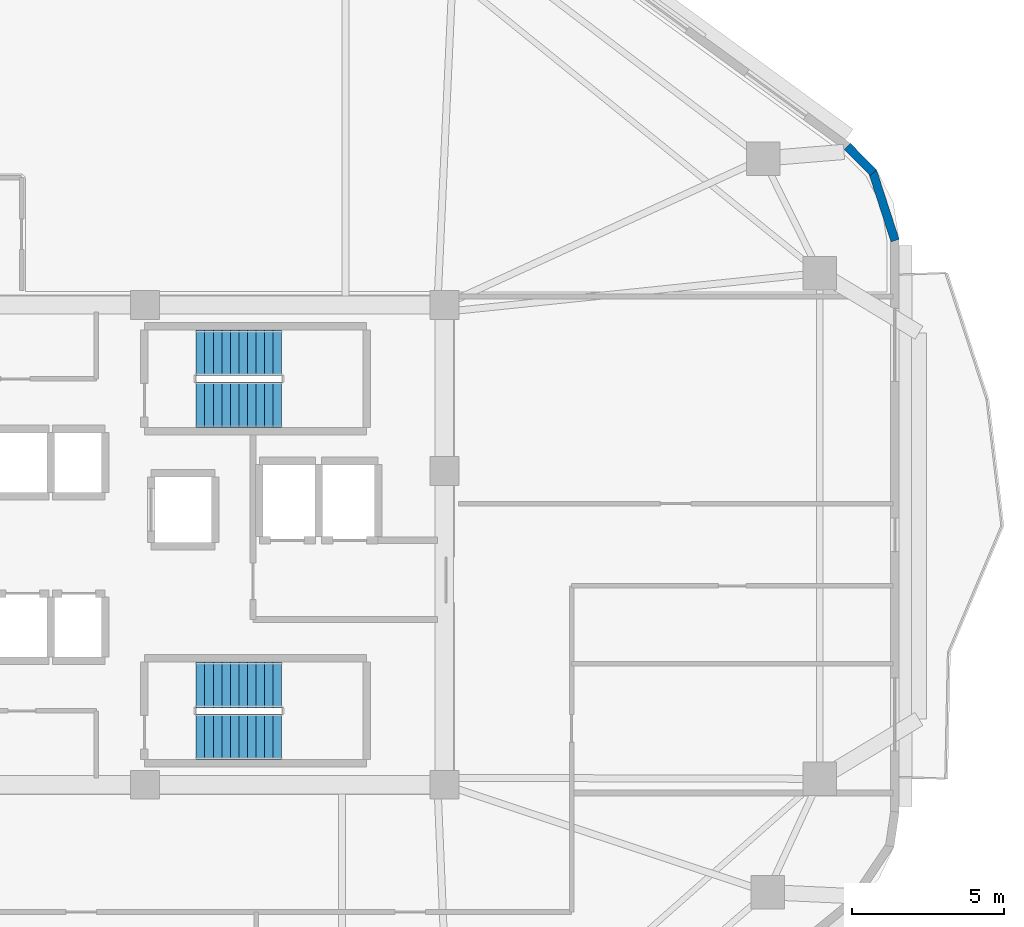
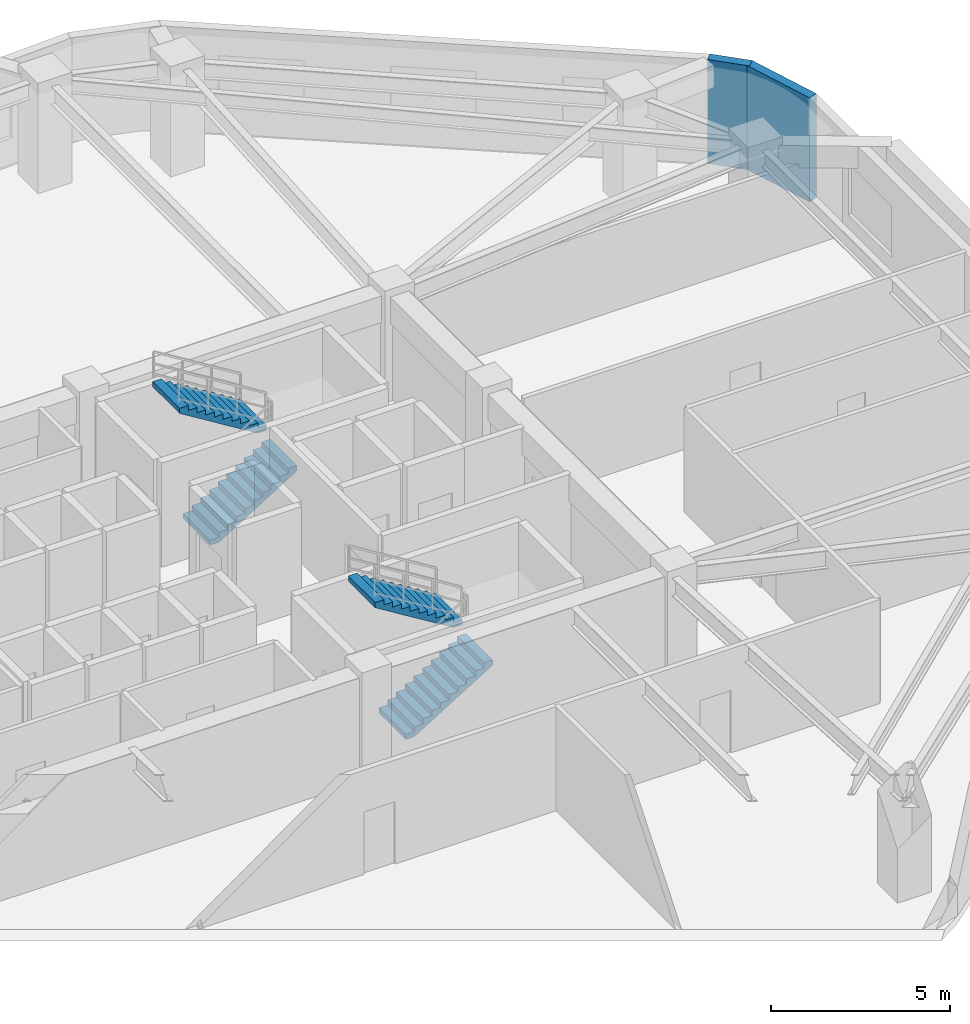
# One storey, part 6 of 8: 4 stair flights, 2 walls, 2 elements without a shape of their own.
"""IFC4 building model written with IfcOpenShell, lengths in metres."""

import ifcopenshell
import ifcopenshell.guid

model = None  # the IFC model being written
_history = None  # IfcOwnerHistory: only IFC2X3 demands one
_inside = {}  # id of a spatial element -> (the spatial element, [elements in it])
_under = {}  # id of a project, library or spatial element -> (it, [spatial elements below it])
_declared = {}  # id of a project -> (the project, [libraries it declares])
_typed = {}  # id of a type object -> (the type object, [elements of that type])
_made_of = {}  # id of a material, layer set ... -> (it, [elements and type objects made of it])


def new_model(schema):
    """Start an empty IFC model of exactly this schema.

    Asked for "IFC4X3", IfcOpenShell would pick the latest addendum, in which some entities
    have other attributes; the version numbers below select the first issue.
    IFC2X3 requires an IfcOwnerHistory on every rooted entity: one is made here for all.
    """
    global model, _history
    if schema == "IFC4X3":
        model = ifcopenshell.file(schema_version=(4, 3, 0, 0))
    else:
        model = ifcopenshell.file(schema=schema)
    _inside.clear()
    _under.clear()
    _declared.clear()
    _typed.clear()
    _made_of.clear()
    _history = None
    if model.schema == "IFC2X3":
        org = make("IfcOrganization", Name="unknown")
        user = make(
            "IfcPersonAndOrganization",
            ThePerson=make("IfcPerson", FamilyName="unknown"),
            TheOrganization=org,
        )
        app = make(
            "IfcApplication",
            ApplicationDeveloper=org,
            Version="unknown",
            ApplicationFullName="unknown",
            ApplicationIdentifier="unknown",
        )
        _history = make(
            "IfcOwnerHistory",
            OwningUser=user,
            OwningApplication=app,
            ChangeAction="ADDED",
            CreationDate=0,
        )
    return model


def make(cls, **values):
    """One entity of the class cls with the attributes given. An attribute that is None is left unset."""
    return model.create_entity(
        cls, **{name: value for name, value in values.items() if value is not None}
    )


def rooted(cls, **values):
    """An entity with a GlobalId (a new one), such as an element, a storey or a relation."""
    return make(cls, GlobalId=ifcopenshell.guid.new(), OwnerHistory=_history, **values)


def si_unit(unit_type, name, prefix=None):
    """IfcSIUnit, for example si_unit("LENGTHUNIT", "METRE", prefix="MILLI")."""
    return make("IfcSIUnit", UnitType=unit_type, Prefix=prefix, Name=name)


def assignment(units):
    """IfcUnitAssignment: the units of a project."""
    return None if units is None else make("IfcUnitAssignment", Units=units)


def point(xyz):
    """IfcCartesianPoint."""
    return None if xyz is None else make("IfcCartesianPoint", Coordinates=xyz)


def direction(xyz):
    """IfcDirection."""
    return None if xyz is None else make("IfcDirection", DirectionRatios=xyz)


def frame(location, z_axis=None, x_axis=None):
    """IfcAxis2Placement3D, a coordinate frame: its origin and axes. An axis left out is left unset."""
    return make(
        "IfcAxis2Placement3D",
        Location=point(location),
        Axis=direction(z_axis),
        RefDirection=direction(x_axis),
    )


def frame_2d(location, x_axis=None):
    """IfcAxis2Placement2D, a coordinate frame in the plane: its origin and x axis."""
    return make(
        "IfcAxis2Placement2D", Location=point(location), RefDirection=direction(x_axis)
    )


def origin():
    """The frame at (0, 0, 0) with its axes left unset."""
    return frame((0.0, 0.0, 0.0))


def place(relative_to, where):
    """IfcLocalPlacement: puts the frame where relative to a parent placement (None: the world)."""
    return make(
        "IfcLocalPlacement", PlacementRelTo=relative_to, RelativePlacement=where
    )


def context(
    kind, dimensions, precision=None, world=None, true_north=None, identifier=None
):
    """IfcGeometricRepresentationContext, for example the 3D "Model" context."""
    return make(
        "IfcGeometricRepresentationContext",
        ContextIdentifier=identifier,
        ContextType=kind,
        CoordinateSpaceDimension=dimensions,
        Precision=precision,
        WorldCoordinateSystem=world,
        TrueNorth=true_north,
    )


def subcontext(parent, identifier, kind, view, scale=None):
    """IfcGeometricRepresentationSubContext, for example "Body" below "Model"."""
    return make(
        "IfcGeometricRepresentationSubContext",
        ContextIdentifier=identifier,
        ContextType=kind,
        ParentContext=parent,
        TargetScale=scale,
        TargetView=view,
    )


def project(units=None, contexts=None):
    """IfcProject with its units and contexts."""
    return rooted(
        "IfcProject",
        Name="project",
        RepresentationContexts=contexts,
        UnitsInContext=assignment(units),
    )


def spatial(cls, under=None, at=None, **own):
    """A site, building, storey or space (cls), placed at a placement, below another one or the project."""
    s = rooted(cls, ObjectPlacement=at, **own)
    if under is not None:
        _under.setdefault(under.id(), (under, []))[1].append(s)
    return s


def polyline(points):
    """IfcPolyline through the points."""
    return make("IfcPolyline", Points=[point(p) for p in points])


def profile(cls, at=None, kind="AREA", **sizes):
    """A parametric profile (cls). Its sizes go by their IFC names, for example OverallWidth=200.0."""
    return make(cls, ProfileType=kind, Position=at, **sizes)


def rectangle(**sizes):
    """IfcRectangleProfileDef."""
    return profile("IfcRectangleProfileDef", **sizes)


def outline(outer, holes=None, kind="AREA"):
    """IfcArbitraryClosedProfileDef: a profile drawn as a closed curve; with holes, ...WithVoids."""
    if holes is None:
        return make("IfcArbitraryClosedProfileDef", ProfileType=kind, OuterCurve=outer)
    return make(
        "IfcArbitraryProfileDefWithVoids",
        ProfileType=kind,
        OuterCurve=outer,
        InnerCurves=holes,
    )


def extrude(swept, where, along, depth):
    """IfcExtrudedAreaSolid: the profile swept, set in the frame where, extruded along a direction by depth."""
    return make(
        "IfcExtrudedAreaSolid",
        SweptArea=swept,
        Position=where,
        ExtrudedDirection=direction(along),
        Depth=depth,
    )


def shape(context_of_items, identifier, shape_type, items):
    """IfcShapeRepresentation: the items that make up one representation, for example the "Body"."""
    return make(
        "IfcShapeRepresentation",
        ContextOfItems=context_of_items,
        RepresentationIdentifier=identifier,
        RepresentationType=shape_type,
        Items=items,
    )


def material(Name=None, Category=None):
    """IfcMaterial."""
    return make("IfcMaterial", Name=Name, Category=Category)


def layer(
    of_material, thickness, ventilated=None, Name=None, Category=None, Priority=None
):
    """IfcMaterialLayer: one layer of a wall or slab, of a material (None: an air gap)."""
    return make(
        "IfcMaterialLayer",
        Material=of_material,
        LayerThickness=thickness,
        IsVentilated=ventilated,
        Name=Name,
        Category=Category,
        Priority=Priority,
    )


def layer_set(layers, Name=None):
    """IfcMaterialLayerSet."""
    return make("IfcMaterialLayerSet", MaterialLayers=layers, LayerSetName=Name)


def made_of(thing, what):
    """Note that an element or type object is made of a material, layer set ...; save() writes the relation."""
    if what is not None:
        _made_of.setdefault(what.id(), (what, []))[1].append(thing)
    return thing


def type_object(cls, material=None, **own):
    """A type object (cls), such as IfcWallType, which elements share."""
    return made_of(rooted(cls, **own), material)


def element(
    cls,
    number,
    at=None,
    inside=None,
    cuts=None,
    type_object=None,
    material=None,
    context=None,
    identifier="Body",
    shape_type=None,
    held_by="IfcProductDefinitionShape",
    body=None,
    shapes=None,
    **own,
):
    """One element of the class cls, such as IfcWall. Its Tag is "e" and its number.

    at: its placement. inside: the storey or other place that contains it. cuts: it is an
    opening in that element (IfcRelVoidsElement). A single representation is given by context,
    identifier, shape_type and body (its items); several are given by shapes. held_by: the class
    of the entity that holds the representations. save() writes the other relations.
    """
    e = rooted(cls, Tag="e%d" % number, ObjectPlacement=at, **own)
    if body is not None:
        shapes = [shape(context, identifier, shape_type, body)]
    if shapes is not None:
        e.Representation = make(held_by, Representations=shapes)
    if inside is not None:
        _inside.setdefault(inside.id(), (inside, []))[1].append(e)
    if cuts is not None:
        rooted(
            "IfcRelVoidsElement", RelatingBuildingElement=cuts, RelatedOpeningElement=e
        )
    if type_object is not None:
        _typed.setdefault(type_object.id(), (type_object, []))[1].append(e)
    return made_of(e, material)


def aggregate(whole, parts):
    """IfcRelAggregates: a whole, such as a stair, and the parts it consists of."""
    return rooted("IfcRelAggregates", RelatingObject=whole, RelatedObjects=parts)


def save(model, path):
    """Write the relations noted so far, then the file.

    IfcRelAggregates (storeys below a building ...), IfcRelContainedInSpatialStructure (elements
    in a storey), IfcRelDefinesByType, IfcRelAssociatesMaterial and IfcRelDeclares: one each for
    every whole, place, type object, material and project.
    """
    for whole, parts in _under.values():
        aggregate(whole, parts)
    for where, things in _inside.values():
        rooted(
            "IfcRelContainedInSpatialStructure",
            RelatedElements=things,
            RelatingStructure=where,
        )
    for kind, things in _typed.values():
        rooted("IfcRelDefinesByType", RelatedObjects=things, RelatingType=kind)
    for what, things in _made_of.values():
        rooted("IfcRelAssociatesMaterial", RelatedObjects=things, RelatingMaterial=what)
    for by, libraries in _declared.values():
        rooted("IfcRelDeclares", RelatingContext=by, RelatedDefinitions=libraries)
    model.write(path)


model = new_model("IFC4")

# Units and contexts
model_context = context("Model", 3, precision=1e-05, world=origin(), true_north=direction((0.0, 1.0)))
body_context = subcontext(model_context, "Body", "Model", "MODEL_VIEW")
ifc_project = project(units=[si_unit("LENGTHUNIT", "METRE"), si_unit("AREAUNIT", "SQUARE_METRE"), si_unit("VOLUMEUNIT", "CUBIC_METRE"), si_unit("PLANEANGLEUNIT", "RADIAN"), si_unit("MASSUNIT", "GRAM", prefix="KILO")], contexts=[model_context])

# Site, building, storey
site_placement = place(None, origin())
site = spatial("IfcSite", under=ifc_project, at=site_placement, CompositionType="ELEMENT")
building_placement = place(site_placement, origin())
building = spatial("IfcBuilding", under=site, at=building_placement, Name="Zulverin Broadcast Headquarters", CompositionType="ELEMENT")
storey_placement = place(building_placement, frame((0.0, 0.0, 136.39990234375)))
storey = spatial("IfcBuildingStorey", under=building, at=storey_placement, Name="L34", CompositionType="ELEMENT", Elevation=136.39990234375)

# Walls
ifc_material_1 = material(Name="Insulated pale-metal clad concrete spandrel C40/50", Category="concrete")
ifc_layer = layer(ifc_material_1, 0.280029296875, Name="Insulated pale-metal clad concrete spandrel C40/50", Category="concrete")
ifc_layer_set = layer_set([ifc_layer], Name="Insulated pale-metal clad concrete spandrel C40/50")
wall_type = type_object("IfcWallType", Name="WL-EXT-280", PredefinedType="STANDARD", material=ifc_layer_set)
wall_1_placement = place(storey_placement, frame((63.06689453125, 35.186767578125, 0.0), z_axis=(0.0, 0.0, 1.0), x_axis=(-0.308390504294, 0.951259847182, 0.0)))
element("IfcWall", 1, at=wall_1_placement, inside=storey, type_object=wall_type, Name="L34 Wind-Shaped Corner Spandrel Wall 3-1", PredefinedType="STANDARD", context=body_context, shape_type="SweptSolid", body=[
    extrude(rectangle(XDim=2.405029296875, YDim=0.280029296875, at=frame_2d((1.20263671875, 0.0))), origin(), (0.0, 0.0, 1.0), 3.5400390625),
])
wall_2_placement = place(storey_placement, frame((62.359130859375, 37.419189453125, 0.0), z_axis=(0.0, 0.0, 1.0), x_axis=(-0.706003104649, 0.708208737751, 0.0)))
element("IfcWall", 2, at=wall_2_placement, inside=storey, type_object=wall_type, Name="L34 Wind-Shaped Corner Spandrel Wall 3-2", PredefinedType="STANDARD", context=body_context, shape_type="SweptSolid", body=[
    extrude(rectangle(XDim=1.217529296875, YDim=0.280029296875, at=frame_2d((0.60888671875, 0.0))), origin(), (0.0, 0.0, 1.0), 3.5400390625),
])

# Stair, stair flights
ifc_material_2 = material(Name="Concrete C40/50", Category="concrete")
stair_type = type_object("IfcStairType", Name="ST-CORE-1500", PredefinedType="HALF_TURN_STAIR", material=ifc_material_2)
stair_1_placement = place(storey_placement, origin())
stair_1 = element("IfcStair", 3, at=stair_1_placement, inside=storey, type_object=stair_type, Name="L34 Core Exit Stair ST-1", PredefinedType="HALF_TURN_STAIR")
stair_flight_type = type_object("IfcStairFlightType", Name="SF-CORE-1500", PredefinedType="STRAIGHT", material=ifc_material_2)
stair_flight_1_placement = place(storey_placement, frame((40.1298828125, 29.800048828125, 0.0), z_axis=(0.0, 0.0, 1.0), x_axis=(1.0, 0.0, 0.0)))
stair_flight_1 = element("IfcStairFlight", 4, at=stair_flight_1_placement, type_object=stair_flight_type, Name="ST-1 flight 1", NumberOfRisers=11, NumberOfTreads=10, PredefinedType="STRAIGHT", RiserHeight=0.172727273, TreadLength=0.28, context=body_context, shape_type="SweptSolid", body=[
    extrude(outline(polyline([(0.0, 0.0), (0.0, 0.172607421875), (0.280029296875, 0.172607421875), (0.280029296875, 0.345458984375), (0.56005859375, 0.345458984375), (0.56005859375, 0.51806640625), (0.840087890625, 0.51806640625), (0.840087890625, 0.69091796875), (1.1201171875, 0.69091796875), (1.1201171875, 0.863525390625), (1.39990234375, 0.863525390625), (1.39990234375, 1.036376953125), (1.679931640625, 1.036376953125), (1.679931640625, 1.208984375), (1.9599609375, 1.208984375), (1.9599609375, 1.3818359375), (2.239990234375, 1.3818359375), (2.239990234375, 1.554443359375), (2.52001953125, 1.554443359375), (2.52001953125, 1.727294921875), (2.800048828125, 1.727294921875), (2.800048828125, 1.89990234375), (2.800048828125, 1.551025390625), (0.285400390625, 0.0), (0.0, 0.0)])), frame((0.0, 0.75, 0.0), z_axis=(0.0, -1.0, 0.0), x_axis=(1.0, 0.0, 0.0)), (0.0, 0.0, 1.0), 1.5),
])
stair_flight_2_placement = place(storey_placement, frame((42.929931640625, 31.5, 1.900146484375), z_axis=(0.0, 0.0, 1.0), x_axis=(-1.0, 0.0, 0.0)))
stair_flight_2 = element("IfcStairFlight", 5, at=stair_flight_2_placement, type_object=stair_flight_type, Name="ST-1 flight 2", NumberOfRisers=11, NumberOfTreads=10, PredefinedType="STRAIGHT", RiserHeight=0.172727273, TreadLength=0.28, context=body_context, shape_type="SweptSolid", body=[
    extrude(outline(polyline([(0.0, 0.0), (0.0, 0.172607421875), (0.280029296875, 0.172607421875), (0.280029296875, 0.345458984375), (0.56005859375, 0.345458984375), (0.56005859375, 0.51806640625), (0.840087890625, 0.51806640625), (0.840087890625, 0.69091796875), (1.1201171875, 0.69091796875), (1.1201171875, 0.863525390625), (1.39990234375, 0.863525390625), (1.39990234375, 1.036376953125), (1.679931640625, 1.036376953125), (1.679931640625, 1.208984375), (1.9599609375, 1.208984375), (1.9599609375, 1.3818359375), (2.239990234375, 1.3818359375), (2.239990234375, 1.554443359375), (2.52001953125, 1.554443359375), (2.52001953125, 1.727294921875), (2.800048828125, 1.727294921875), (2.800048828125, 1.89990234375), (2.800048828125, 1.551025390625), (0.285400390625, 0.0), (0.0, 0.0)])), frame((0.0, 0.75, 0.0), z_axis=(0.0, -1.0, 0.0), x_axis=(1.0, 0.0, 0.0)), (0.0, 0.0, 1.0), 1.5),
])
aggregate(stair_1, [stair_flight_1, stair_flight_2])

stair_2_placement = place(storey_placement, origin())
stair_2 = element("IfcStair", 6, at=stair_2_placement, inside=storey, type_object=stair_type, Name="L34 Core Exit Stair ST-2", PredefinedType="HALF_TURN_STAIR")
stair_flight_3_placement = place(storey_placement, frame((40.1298828125, 18.89990234375, 0.0), z_axis=(0.0, 0.0, 1.0), x_axis=(1.0, 0.0, 0.0)))
stair_flight_3 = element("IfcStairFlight", 7, at=stair_flight_3_placement, type_object=stair_flight_type, Name="ST-2 flight 1", NumberOfRisers=11, NumberOfTreads=10, PredefinedType="STRAIGHT", RiserHeight=0.172727273, TreadLength=0.28, context=body_context, shape_type="SweptSolid", body=[
    extrude(outline(polyline([(0.0, 0.0), (0.0, 0.172607421875), (0.280029296875, 0.172607421875), (0.280029296875, 0.345458984375), (0.56005859375, 0.345458984375), (0.56005859375, 0.51806640625), (0.840087890625, 0.51806640625), (0.840087890625, 0.69091796875), (1.1201171875, 0.69091796875), (1.1201171875, 0.863525390625), (1.39990234375, 0.863525390625), (1.39990234375, 1.036376953125), (1.679931640625, 1.036376953125), (1.679931640625, 1.208984375), (1.9599609375, 1.208984375), (1.9599609375, 1.3818359375), (2.239990234375, 1.3818359375), (2.239990234375, 1.554443359375), (2.52001953125, 1.554443359375), (2.52001953125, 1.727294921875), (2.800048828125, 1.727294921875), (2.800048828125, 1.89990234375), (2.800048828125, 1.551025390625), (0.285400390625, 0.0), (0.0, 0.0)])), frame((0.0, 0.75, 0.0), z_axis=(0.0, -1.0, 0.0), x_axis=(1.0, 0.0, 0.0)), (0.0, 0.0, 1.0), 1.5),
])
stair_flight_4_placement = place(storey_placement, frame((42.929931640625, 20.60009765625, 1.900146484375), z_axis=(0.0, 0.0, 1.0), x_axis=(-1.0, 0.0, 0.0)))
stair_flight_4 = element("IfcStairFlight", 8, at=stair_flight_4_placement, type_object=stair_flight_type, Name="ST-2 flight 2", NumberOfRisers=11, NumberOfTreads=10, PredefinedType="STRAIGHT", RiserHeight=0.172727273, TreadLength=0.28, context=body_context, shape_type="SweptSolid", body=[
    extrude(outline(polyline([(0.0, 0.0), (0.0, 0.172607421875), (0.280029296875, 0.172607421875), (0.280029296875, 0.345458984375), (0.56005859375, 0.345458984375), (0.56005859375, 0.51806640625), (0.840087890625, 0.51806640625), (0.840087890625, 0.69091796875), (1.1201171875, 0.69091796875), (1.1201171875, 0.863525390625), (1.39990234375, 0.863525390625), (1.39990234375, 1.036376953125), (1.679931640625, 1.036376953125), (1.679931640625, 1.208984375), (1.9599609375, 1.208984375), (1.9599609375, 1.3818359375), (2.239990234375, 1.3818359375), (2.239990234375, 1.554443359375), (2.52001953125, 1.554443359375), (2.52001953125, 1.727294921875), (2.800048828125, 1.727294921875), (2.800048828125, 1.89990234375), (2.800048828125, 1.551025390625), (0.285400390625, 0.0), (0.0, 0.0)])), frame((0.0, 0.75, 0.0), z_axis=(0.0, -1.0, 0.0), x_axis=(1.0, 0.0, 0.0)), (0.0, 0.0, 1.0), 1.5),
])
aggregate(stair_2, [stair_flight_3, stair_flight_4])

save(model, "model.ifc")
